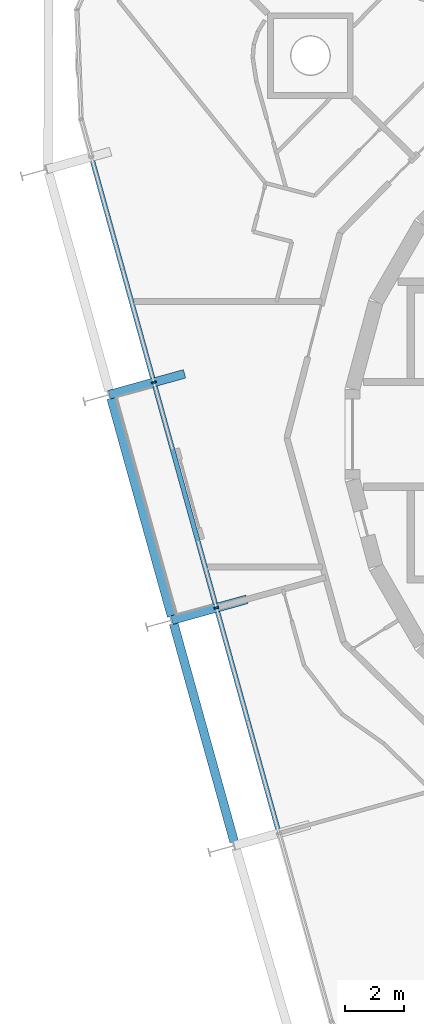
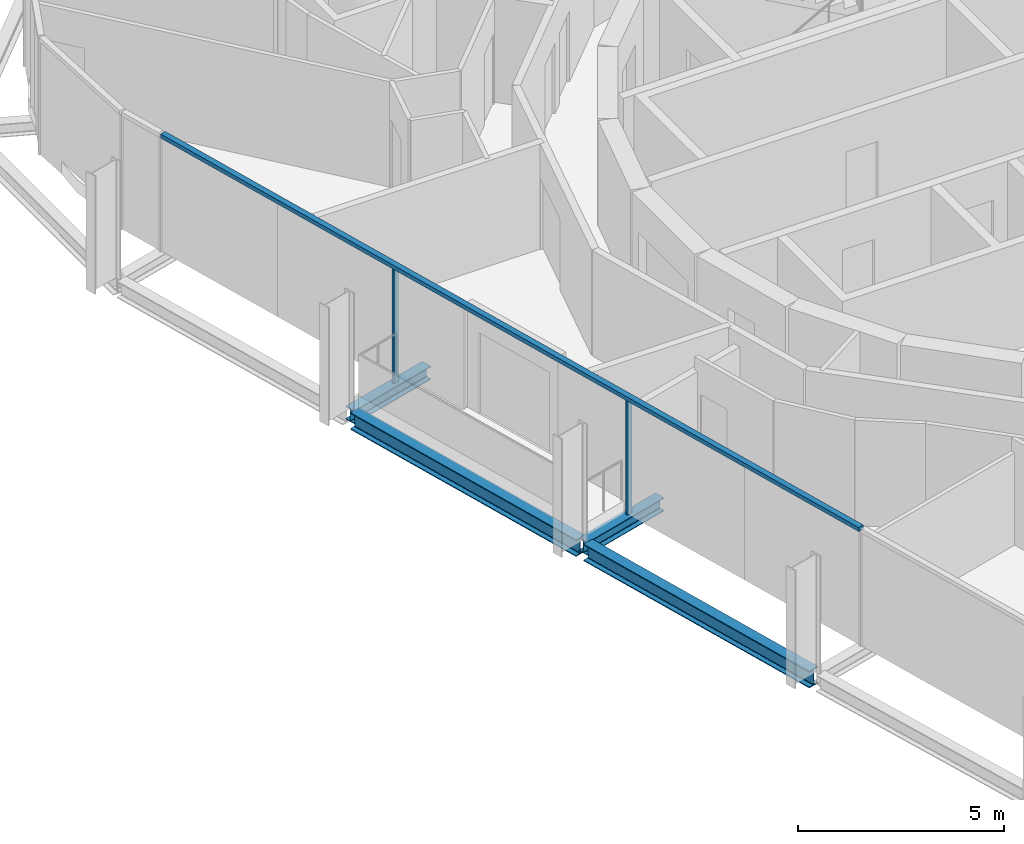
# One storey, part 3 of 15: 4 beams, 3 members, 1 element without a shape of its own.
"""IFC4 building model written with IfcOpenShell, lengths in metres."""

from ifc_helpers import new_model, si_unit, direction, frame, origin, origin_2d, place, context, subcontext, project, spatial, rectangle, i_section, extrude, material, layer, layer_set, material_profile, profile_set, type_object, element, aggregate, save


model = new_model("IFC4")

# Units and contexts
model_context = context("Model", 3, precision=1e-05, world=origin(), true_north=direction((0.0, 1.0)))
body_context = subcontext(model_context, "Body", "Model", "MODEL_VIEW")
ifc_project = project(units=[si_unit("LENGTHUNIT", "METRE"), si_unit("AREAUNIT", "SQUARE_METRE"), si_unit("VOLUMEUNIT", "CUBIC_METRE"), si_unit("PLANEANGLEUNIT", "RADIAN"), si_unit("MASSUNIT", "GRAM", prefix="KILO")], contexts=[model_context])

# Site, building, storey
site_placement = place(None, origin())
site = spatial("IfcSite", under=ifc_project, at=site_placement, CompositionType="ELEMENT")
building_placement = place(site_placement, origin())
building = spatial("IfcBuilding", under=site, at=building_placement, Name="Spindle Arch Residences", CompositionType="ELEMENT")
storey_placement = place(building_placement, frame((0.0, 0.0, 305.199951171875)))
storey = spatial("IfcBuildingStorey", under=building, at=storey_placement, Name="L78", CompositionType="ELEMENT", Elevation=305.199951171875)

# Curtain wall, members
ifc_material_1 = material(Name="Aluminium bronze unitised frame with tinted glass", Category="aluminium")
ifc_layer = layer(ifc_material_1, 0.159912109375)
ifc_layer_set = layer_set([ifc_layer], Name="CW-C typical residential unitised wall")
curtain_wall_type = type_object("IfcCurtainWallType", Name="CW-C typical residential unitised wall", PredefinedType="NOTDEFINED", material=ifc_layer_set)
curtain_wall_placement = place(storey_placement, origin())
curtain_wall = element("IfcCurtainWall", 1, at=curtain_wall_placement, inside=storey, type_object=curtain_wall_type, Name="CW-C L78 run 4", PredefinedType="NOTDEFINED")
ifc_material_2 = material(Name="Aluminium bronze anodised mullion", Category="aluminium")
ifc_material_profile_1 = material_profile(ifc_material_2, rectangle(XDim=0.159912109375, YDim=0.06005859375, at=origin_2d()), Name="MU 60x160")
ifc_profile_set_1 = profile_set([ifc_material_profile_1], Name="Aluminium bronze anodised mullion")
member_type_1 = type_object("IfcMemberType", Name="Bronze mullion 60x160", PredefinedType="MULLION", material=ifc_profile_set_1)
member_1_placement = place(storey_placement, frame((-18.384521484375, 1.763671875, -0.3798828125), z_axis=(0.0, 0.0, 1.0), x_axis=(0.963630453209, 0.267238376078, 0.0)))
member_1 = element("IfcMember", 2, at=member_1_placement, type_object=member_type_1, Name="CW-C mullion 12", PredefinedType="MULLION", context=body_context, shape_type="SweptSolid", body=[
    extrude(rectangle(XDim=0.159912109375, YDim=0.06005859375, at=origin_2d()), origin(), (0.0, 0.0, 1.0), 3.3798828125),
])
member_2_placement = place(storey_placement, frame((-16.263916015625, -5.8828125, -0.3798828125), z_axis=(0.0, 0.0, 1.0), x_axis=(0.963630453209, 0.267238376078, 0.0)))
member_2 = element("IfcMember", 3, at=member_2_placement, type_object=member_type_1, Name="CW-C mullion 13", PredefinedType="MULLION", context=body_context, shape_type="SweptSolid", body=[
    extrude(rectangle(XDim=0.159912109375, YDim=0.06005859375, at=origin_2d()), origin(), (0.0, 0.0, 1.0), 3.3798828125),
])
ifc_material_3 = material(Name="Aluminium bronze anodised transom", Category="aluminium")
ifc_material_profile_2 = material_profile(ifc_material_3, rectangle(XDim=0.159912109375, YDim=0.1201171875, at=origin_2d()), Name="TR 120x160")
ifc_profile_set_2 = profile_set([ifc_material_profile_2], Name="Aluminium bronze anodised transom")
member_type_2 = type_object("IfcMemberType", Name="Bronze transom 120x160", PredefinedType="USERDEFINED", material=ifc_profile_set_2)
member_3_placement = place(storey_placement, frame((-20.4970703125, 9.38134765625, 3.06005859375), z_axis=(0.267238704816, -0.963630362041, 0.0), x_axis=(0.963630362041, 0.267238704816, 0.0)))
member_3 = element("IfcMember", 4, at=member_3_placement, type_object=member_type_2, Name="CW-C transom 00", ObjectType="TRANSOM", PredefinedType="USERDEFINED", context=body_context, shape_type="SweptSolid", body=[
    extrude(rectangle(XDim=0.159912109375, YDim=0.1201171875, at=origin_2d()), origin(), (0.0, 0.0, 1.0), 23.745361328125),
])
aggregate(curtain_wall, [member_3, member_1, member_2])

# Beams
ifc_material_4 = material(Name="Steel S460ML, intumescent coating R 120", Category="steel")
ifc_material_profile_3 = material_profile(ifc_material_4, i_section(OverallWidth=0.300048828125, OverallDepth=0.5, WebThickness=0.014404296875, FlangeThickness=0.028076171875, FilletRadius=0.027099609375, at=origin_2d()), Name="HEB 500")
ifc_profile_set_3 = profile_set([ifc_material_profile_3], Name="Steel S460ML, intumescent coating R 120")
beam_type_1 = type_object("IfcBeamType", Name="Exoskeleton edge beam HEB 500", PredefinedType="BEAM", material=ifc_profile_set_3)
beam_1_placement = place(storey_placement, frame((-19.833740234375, 1.226806640625, -0.6298828125), z_axis=(0.26723040865, -0.963632662737, 0.0), x_axis=(0.963632662737, 0.26723040865, 0.0)))
element("IfcBeam", 5, at=beam_1_placement, inside=storey, type_object=beam_type_1, Name="Exoskeleton edge beam 13", PredefinedType="BEAM", context=body_context, shape_type="SweptSolid", body=[
    extrude(i_section(OverallWidth=0.300048828125, OverallDepth=0.5, WebThickness=0.014404296875, FlangeThickness=0.028076171875, FilletRadius=0.027099609375, at=origin_2d()), origin(), (0.0, 0.0, 1.0), 7.675048828125),
])
beam_2_placement = place(storey_placement, frame((-17.71337890625, -6.419677734375, -0.6298828125), z_axis=(0.267259946058, -0.963624471064, 0.0), x_axis=(0.963624471064, 0.267259946058, 0.0)))
element("IfcBeam", 6, at=beam_2_placement, inside=storey, type_object=beam_type_1, Name="Exoskeleton edge beam 14", PredefinedType="BEAM", context=body_context, shape_type="SweptSolid", body=[
    extrude(i_section(OverallWidth=0.300048828125, OverallDepth=0.5, WebThickness=0.014404296875, FlangeThickness=0.028076171875, FilletRadius=0.027099609375, at=origin_2d()), origin(), (0.0, 0.0, 1.0), 7.67529296875),
])
ifc_material_5 = material(Name="Steel S460ML, intumescent coating R 120", Category="steel")
ifc_material_profile_4 = material_profile(ifc_material_5, i_section(OverallWidth=0.300048828125, OverallDepth=0.389892578125, WebThickness=0.010986328125, FlangeThickness=0.01904296875, FilletRadius=0.027099609375, at=origin_2d()), Name="HEA 400")
ifc_profile_set_4 = profile_set([ifc_material_profile_4], Name="Steel S460ML, intumescent coating R 120")
beam_type_2 = type_object("IfcBeamType", Name="Floor outrigger HEA 400", PredefinedType="BEAM", material=ifc_profile_set_4)
for number, where, z_axis, x_axis, name in (
    (7, (-19.8974609375, 1.343994140625, -0.574951171875), (0.963626057771, 0.267254225009, 0.0), (-0.267254225009, 0.963626057771, 0.0), "Floor outrigger 13"),
    (8, (-17.777099609375, -6.302490234375, -0.574951171875), (0.963626057771, 0.267254225009, 0.0), (-0.267254225009, 0.963626057771, 0.0), "Floor outrigger 14"),
):
    element("IfcBeam", number, at=place(storey_placement, frame(where, z_axis=z_axis, x_axis=x_axis)), inside=storey, type_object=beam_type_2, Name=name, PredefinedType="BEAM", context=body_context, shape_type="SweptSolid", body=[
        extrude(i_section(OverallWidth=0.300048828125, OverallDepth=0.389892578125, WebThickness=0.010986328125, FlangeThickness=0.01904296875, FilletRadius=0.027099609375, at=origin_2d()), origin(), (0.0, 0.0, 1.0), 2.650146484375),
    ])

save(model, "model.ifc")
